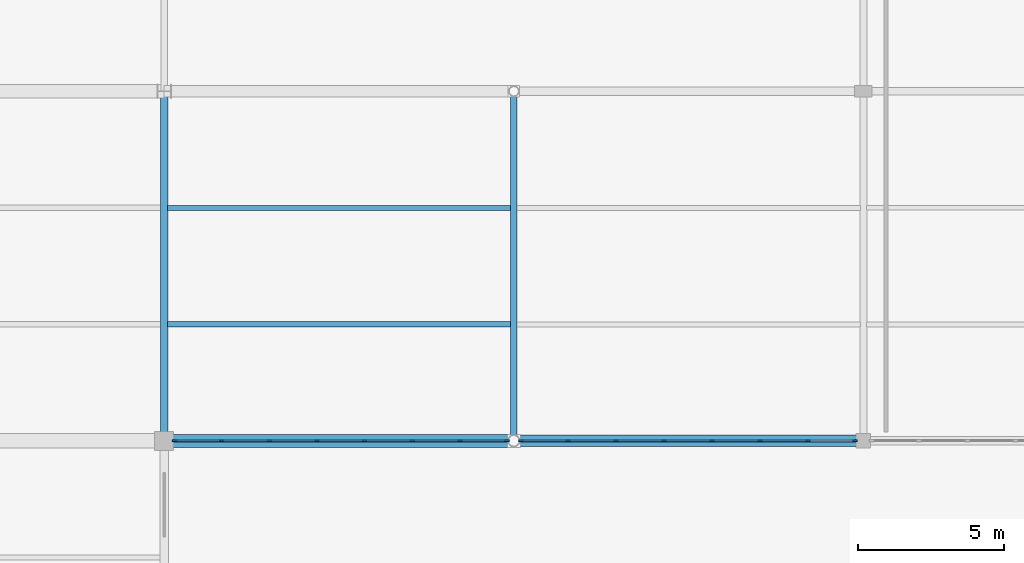
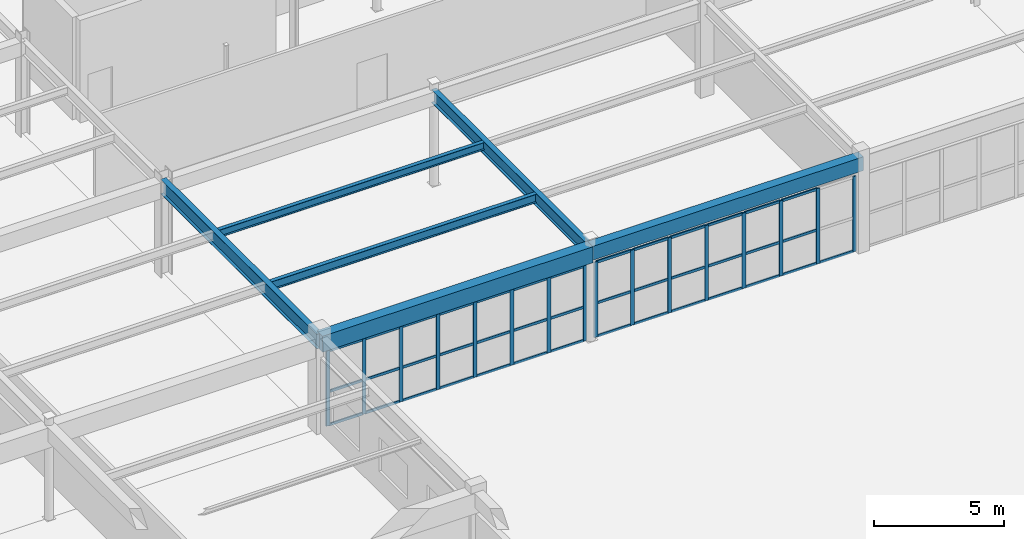
# One storey, part 83 of 199: 56 members, 6 beams, 2 elements without a shape of their own.
"""IFC4 building model written with IfcOpenShell, lengths in metres."""

from ifc_helpers import new_model, si_unit, direction, frame, origin, origin_2d, place, context, subcontext, project, spatial, rectangle, i_section, extrude, material, layer, layer_set, material_profile, profile_set, type_object, element, aggregate, save


model = new_model("IFC4")

# Units and contexts
model_context = context("Model", 3, precision=1e-05, world=origin(), true_north=direction((0.0, 1.0)))
body_context = subcontext(model_context, "Body", "Model", "MODEL_VIEW")
ifc_project = project(units=[si_unit("LENGTHUNIT", "METRE"), si_unit("AREAUNIT", "SQUARE_METRE"), si_unit("VOLUMEUNIT", "CUBIC_METRE"), si_unit("PLANEANGLEUNIT", "RADIAN"), si_unit("MASSUNIT", "GRAM", prefix="KILO")], contexts=[model_context])

# Site, building, storey
site_placement = place(None, origin())
site = spatial("IfcSite", under=ifc_project, at=site_placement, CompositionType="ELEMENT")
building_placement = place(site_placement, origin())
building = spatial("IfcBuilding", under=site, at=building_placement, Name="Tarnwether General Hospital", CompositionType="ELEMENT")
storey_placement = place(building_placement, origin())
storey = spatial("IfcBuildingStorey", under=building, at=storey_placement, Name="L00", CompositionType="ELEMENT", Elevation=0.0)

# Beams
ifc_material_1 = material(Name="Steel Grade 350 (350 MPa)", Category="steel")
ifc_material_profile_1 = material_profile(ifc_material_1, i_section(OverallWidth=0.25, OverallDepth=0.69189453125, WebThickness=0.009033203125, FlangeThickness=0.01611328125, at=origin_2d()), Name="700WB115")
ifc_profile_set_1 = profile_set([ifc_material_profile_1], Name="Steel Grade 350 (350 MPa)")
beam_type_1 = type_object("IfcBeamType", Name="BM-G02", PredefinedType="BEAM", material=ifc_profile_set_1)
beam_1_placement = place(storey_placement, frame((60.0, 81.60009765625, 4.09912109375), z_axis=(0.0, 1.0, 0.0), x_axis=(-1.0, 0.0, 0.0)))
element("IfcBeam", 1, at=beam_1_placement, inside=storey, type_object=beam_type_1, Name="Primary Girder BMG-L00-6000_8160-6000_9360-0703", PredefinedType="BEAM", context=body_context, shape_type="SweptSolid", body=[
    extrude(i_section(OverallWidth=0.25, OverallDepth=0.69189453125, WebThickness=0.009033203125, FlangeThickness=0.01611328125, at=origin_2d()), origin(), (0.0, 0.0, 1.0), 12.0),
])
ifc_material_2 = material(Name="Steel Grade 350 (350 MPa)", Category="steel")
ifc_material_profile_2 = material_profile(ifc_material_2, i_section(OverallWidth=0.22900390625, OverallDepth=0.612060546875, WebThickness=0.011962890625, FlangeThickness=0.01953125, at=origin_2d()), Name="610UB125")
ifc_profile_set_2 = profile_set([ifc_material_profile_2], Name="Steel Grade 350 (350 MPa)")
beam_type_2 = type_object("IfcBeamType", Name="BM-G03", PredefinedType="BEAM", material=ifc_profile_set_2)
beam_2_placement = place(storey_placement, frame((72.0, 81.60009765625, 4.138916015625), z_axis=(0.0, 1.0, 0.0), x_axis=(-1.0, 0.0, 0.0)))
element("IfcBeam", 2, at=beam_2_placement, inside=storey, type_object=beam_type_2, Name="Primary Girder BMG-L00-7200_8160-7200_9360-0714", PredefinedType="BEAM", context=body_context, shape_type="SweptSolid", body=[
    extrude(i_section(OverallWidth=0.22900390625, OverallDepth=0.612060546875, WebThickness=0.011962890625, FlangeThickness=0.01953125, at=origin_2d()), origin(), (0.0, 0.0, 1.0), 12.0),
])
ifc_material_3 = material(Name="Concrete 40 MPa", Category="concrete")
ifc_material_profile_3 = material_profile(ifc_material_3, rectangle(XDim=0.449951171875, YDim=0.75, at=origin_2d()), Name="RC-BM-450x750")
ifc_profile_set_3 = profile_set([ifc_material_profile_3], Name="Concrete 40 MPa")
beam_type_3 = type_object("IfcBeamType", Name="BM-G13", PredefinedType="BEAM", material=ifc_profile_set_3)
beam_3_placement = place(storey_placement, frame((60.0, 81.60009765625, 4.070068359375), z_axis=(1.0, 0.0, 0.0), x_axis=(0.0, 1.0, 0.0)))
element("IfcBeam", 3, at=beam_3_placement, inside=storey, type_object=beam_type_3, Name="Primary Girder BMG-L00-6000_8160-7200_8160-0702", PredefinedType="BEAM", context=body_context, shape_type="SweptSolid", body=[
    extrude(rectangle(XDim=0.449951171875, YDim=0.75, at=origin_2d()), origin(), (0.0, 0.0, 1.0), 12.0),
])
ifc_material_4 = material(Name="Concrete 40 MPa", Category="concrete")
ifc_material_profile_4 = material_profile(ifc_material_4, rectangle(XDim=0.39990234375, YDim=0.64990234375, at=origin_2d()), Name="RC-BM-400x650")
ifc_profile_set_4 = profile_set([ifc_material_profile_4], Name="Concrete 40 MPa")
beam_type_4 = type_object("IfcBeamType", Name="BM-G14", PredefinedType="BEAM", material=ifc_profile_set_4)
beam_4_placement = place(storey_placement, frame((72.0, 81.60009765625, 4.1201171875), z_axis=(1.0, 0.0, 0.0), x_axis=(0.0, 1.0, 0.0)))
element("IfcBeam", 4, at=beam_4_placement, inside=storey, type_object=beam_type_4, Name="Primary Girder BMG-L00-7200_8160-8400_8160-0713", PredefinedType="BEAM", context=body_context, shape_type="SweptSolid", body=[
    extrude(rectangle(XDim=0.39990234375, YDim=0.64990234375, at=origin_2d()), origin(), (0.0, 0.0, 1.0), 12.0),
])
ifc_material_5 = material(Name="Steel Grade 350 (350 MPa)", Category="steel")
ifc_material_profile_5 = material_profile(ifc_material_5, i_section(OverallWidth=0.177978515625, OverallDepth=0.403076171875, WebThickness=0.007568359375, FlangeThickness=0.010986328125, at=origin_2d()), Name="410UB53.7")
ifc_profile_set_5 = profile_set([ifc_material_profile_5], Name="Steel Grade 350 (350 MPa)")
beam_type_5 = type_object("IfcBeamType", Name="BM-J02", PredefinedType="JOIST", material=ifc_profile_set_5)
beam_5_placement = place(storey_placement, frame((60.118896484375, 85.60009765625, 4.243408203125), z_axis=(1.0, 0.0, 0.0), x_axis=(0.0, 1.0, 0.0)))
element("IfcBeam", 5, at=beam_5_placement, inside=storey, type_object=beam_type_5, Name="Composite Floor Joist BMG-L00-6012_8560-7189_8560-0967", PredefinedType="JOIST", context=body_context, shape_type="SweptSolid", body=[
    extrude(i_section(OverallWidth=0.177978515625, OverallDepth=0.403076171875, WebThickness=0.007568359375, FlangeThickness=0.010986328125, at=origin_2d()), origin(), (0.0, 0.0, 1.0), 11.772216796875),
])
ifc_material_6 = material(Name="Steel Grade 350 (350 MPa)", Category="steel")
ifc_material_profile_6 = material_profile(ifc_material_6, i_section(OverallWidth=0.172119140625, OverallDepth=0.35888671875, WebThickness=0.008056640625, FlangeThickness=0.012939453125, at=origin_2d()), Name="360UB56.7")
ifc_profile_set_6 = profile_set([ifc_material_profile_6], Name="Steel Grade 350 (350 MPa)")
beam_type_6 = type_object("IfcBeamType", Name="BM-J03", PredefinedType="JOIST", material=ifc_profile_set_6)
beam_6_placement = place(storey_placement, frame((60.118896484375, 89.60009765625, 4.265380859375), z_axis=(1.0, 0.0, 0.0), x_axis=(0.0, 1.0, 0.0)))
element("IfcBeam", 6, at=beam_6_placement, inside=storey, type_object=beam_type_6, Name="Composite Floor Joist BMG-L00-6012_8960-7189_8960-0968", PredefinedType="JOIST", context=body_context, shape_type="SweptSolid", body=[
    extrude(i_section(OverallWidth=0.172119140625, OverallDepth=0.35888671875, WebThickness=0.008056640625, FlangeThickness=0.012939453125, at=origin_2d()), origin(), (0.0, 0.0, 1.0), 11.772216796875),
])

# Curtain wall, members
ifc_material_7 = material(Name="Anodised aluminium", Category="aluminium")
ifc_layer = layer(ifc_material_7, 0.159912109375)
ifc_layer_set = layer_set([ifc_layer], Name="Anodised aluminium")
curtain_wall_type = type_object("IfcCurtainWallType", Name="CW-23", PredefinedType="NOTDEFINED", material=ifc_layer_set)
curtain_wall_1_placement = place(storey_placement, origin())
curtain_wall_1 = element("IfcCurtainWall", 7, at=curtain_wall_1_placement, inside=storey, type_object=curtain_wall_type, Name="Curtain Wall CWG-L00-603_816-0305", PredefinedType="NOTDEFINED")
ifc_material_8 = material(Name="Anodised aluminium", Category="aluminium")
ifc_material_profile_7 = material_profile(ifc_material_8, rectangle(XDim=0.06005859375, YDim=0.159912109375, at=origin_2d()), Name="ALU-MUL-60x160")
ifc_profile_set_7 = profile_set([ifc_material_profile_7], Name="Anodised aluminium")
member_type_1 = type_object("IfcMemberType", Name="CW-ML1", PredefinedType="MULLION", material=ifc_profile_set_7)
member_1_placement = place(storey_placement, frame((60.363037109375, 81.60009765625, 0.0), z_axis=(0.0, 0.0, 1.0), x_axis=(0.0, 1.0, 0.0)))
member_1 = element("IfcMember", 8, at=member_1_placement, type_object=member_type_1, Name="CW-23 mullion 1", PredefinedType="MULLION", context=body_context, shape_type="SweptSolid", body=[
    extrude(rectangle(XDim=0.06005859375, YDim=0.159912109375, at=origin_2d()), origin(), (0.0, 0.0, 1.0), 3.530029296875),
])
member_2_placement = place(storey_placement, frame((61.969482421875, 81.60009765625, 0.0), z_axis=(0.0, 0.0, 1.0), x_axis=(0.0, 1.0, 0.0)))
member_2 = element("IfcMember", 9, at=member_2_placement, type_object=member_type_1, Name="CW-23 mullion 2", PredefinedType="MULLION", context=body_context, shape_type="SweptSolid", body=[
    extrude(rectangle(XDim=0.06005859375, YDim=0.159912109375, at=origin_2d()), origin(), (0.0, 0.0, 1.0), 3.530029296875),
])
member_3_placement = place(storey_placement, frame((63.606201171875, 81.60009765625, 0.0), z_axis=(0.0, 0.0, 1.0), x_axis=(0.0, 1.0, 0.0)))
member_3 = element("IfcMember", 10, at=member_3_placement, type_object=member_type_1, Name="CW-23 mullion 3", PredefinedType="MULLION", context=body_context, shape_type="SweptSolid", body=[
    extrude(rectangle(XDim=0.06005859375, YDim=0.159912109375, at=origin_2d()), origin(), (0.0, 0.0, 1.0), 3.530029296875),
])
member_4_placement = place(storey_placement, frame((65.24267578125, 81.60009765625, 0.0), z_axis=(0.0, 0.0, 1.0), x_axis=(0.0, 1.0, 0.0)))
member_4 = element("IfcMember", 11, at=member_4_placement, type_object=member_type_1, Name="CW-23 mullion 4", PredefinedType="MULLION", context=body_context, shape_type="SweptSolid", body=[
    extrude(rectangle(XDim=0.06005859375, YDim=0.159912109375, at=origin_2d()), origin(), (0.0, 0.0, 1.0), 3.530029296875),
])
member_5_placement = place(storey_placement, frame((66.87939453125, 81.60009765625, 0.0), z_axis=(0.0, 0.0, 1.0), x_axis=(0.0, 1.0, 0.0)))
member_5 = element("IfcMember", 12, at=member_5_placement, type_object=member_type_1, Name="CW-23 mullion 5", PredefinedType="MULLION", context=body_context, shape_type="SweptSolid", body=[
    extrude(rectangle(XDim=0.06005859375, YDim=0.159912109375, at=origin_2d()), origin(), (0.0, 0.0, 1.0), 3.530029296875),
])
member_6_placement = place(storey_placement, frame((68.515869140625, 81.60009765625, 0.0), z_axis=(0.0, 0.0, 1.0), x_axis=(0.0, 1.0, 0.0)))
member_6 = element("IfcMember", 13, at=member_6_placement, type_object=member_type_1, Name="CW-23 mullion 6", PredefinedType="MULLION", context=body_context, shape_type="SweptSolid", body=[
    extrude(rectangle(XDim=0.06005859375, YDim=0.159912109375, at=origin_2d()), origin(), (0.0, 0.0, 1.0), 3.530029296875),
])
member_7_placement = place(storey_placement, frame((70.15234375, 81.60009765625, 0.0), z_axis=(0.0, 0.0, 1.0), x_axis=(0.0, 1.0, 0.0)))
member_7 = element("IfcMember", 14, at=member_7_placement, type_object=member_type_1, Name="CW-23 mullion 7", PredefinedType="MULLION", context=body_context, shape_type="SweptSolid", body=[
    extrude(rectangle(XDim=0.06005859375, YDim=0.159912109375, at=origin_2d()), origin(), (0.0, 0.0, 1.0), 3.530029296875),
])
member_8_placement = place(storey_placement, frame((71.759033203125, 81.60009765625, 0.0), z_axis=(0.0, 0.0, 1.0), x_axis=(0.0, 1.0, 0.0)))
member_8 = element("IfcMember", 15, at=member_8_placement, type_object=member_type_1, Name="CW-23 mullion 8", PredefinedType="MULLION", context=body_context, shape_type="SweptSolid", body=[
    extrude(rectangle(XDim=0.06005859375, YDim=0.159912109375, at=origin_2d()), origin(), (0.0, 0.0, 1.0), 3.530029296875),
])

curtain_wall_2_placement = place(storey_placement, origin())
curtain_wall_2 = element("IfcCurtainWall", 16, at=curtain_wall_2_placement, inside=storey, type_object=curtain_wall_type, Name="Curtain Wall CWG-L00-722_816-0306", PredefinedType="NOTDEFINED")
member_9_placement = place(storey_placement, frame((72.240966796875, 81.60009765625, 0.0), z_axis=(0.0, 0.0, 1.0), x_axis=(0.0, 1.0, 0.0)))
member_9 = element("IfcMember", 17, at=member_9_placement, type_object=member_type_1, Name="CW-23 mullion 1", PredefinedType="MULLION", context=body_context, shape_type="SweptSolid", body=[
    extrude(rectangle(XDim=0.06005859375, YDim=0.159912109375, at=origin_2d()), origin(), (0.0, 0.0, 1.0), 3.530029296875),
])
member_10_placement = place(storey_placement, frame((73.8583984375, 81.60009765625, 0.0), z_axis=(0.0, 0.0, 1.0), x_axis=(0.0, 1.0, 0.0)))
member_10 = element("IfcMember", 18, at=member_10_placement, type_object=member_type_1, Name="CW-23 mullion 2", PredefinedType="MULLION", context=body_context, shape_type="SweptSolid", body=[
    extrude(rectangle(XDim=0.06005859375, YDim=0.159912109375, at=origin_2d()), origin(), (0.0, 0.0, 1.0), 3.530029296875),
])
member_11_placement = place(storey_placement, frame((75.505615234375, 81.60009765625, 0.0), z_axis=(0.0, 0.0, 1.0), x_axis=(0.0, 1.0, 0.0)))
member_11 = element("IfcMember", 19, at=member_11_placement, type_object=member_type_1, Name="CW-23 mullion 3", PredefinedType="MULLION", context=body_context, shape_type="SweptSolid", body=[
    extrude(rectangle(XDim=0.06005859375, YDim=0.159912109375, at=origin_2d()), origin(), (0.0, 0.0, 1.0), 3.530029296875),
])
member_12_placement = place(storey_placement, frame((77.15283203125, 81.60009765625, 0.0), z_axis=(0.0, 0.0, 1.0), x_axis=(0.0, 1.0, 0.0)))
member_12 = element("IfcMember", 20, at=member_12_placement, type_object=member_type_1, Name="CW-23 mullion 4", PredefinedType="MULLION", context=body_context, shape_type="SweptSolid", body=[
    extrude(rectangle(XDim=0.06005859375, YDim=0.159912109375, at=origin_2d()), origin(), (0.0, 0.0, 1.0), 3.530029296875),
])
member_13_placement = place(storey_placement, frame((78.800048828125, 81.60009765625, 0.0), z_axis=(0.0, 0.0, 1.0), x_axis=(0.0, 1.0, 0.0)))
member_13 = element("IfcMember", 21, at=member_13_placement, type_object=member_type_1, Name="CW-23 mullion 5", PredefinedType="MULLION", context=body_context, shape_type="SweptSolid", body=[
    extrude(rectangle(XDim=0.06005859375, YDim=0.159912109375, at=origin_2d()), origin(), (0.0, 0.0, 1.0), 3.530029296875),
])
member_14_placement = place(storey_placement, frame((80.447509765625, 81.60009765625, 0.0), z_axis=(0.0, 0.0, 1.0), x_axis=(0.0, 1.0, 0.0)))
member_14 = element("IfcMember", 22, at=member_14_placement, type_object=member_type_1, Name="CW-23 mullion 6", PredefinedType="MULLION", context=body_context, shape_type="SweptSolid", body=[
    extrude(rectangle(XDim=0.06005859375, YDim=0.159912109375, at=origin_2d()), origin(), (0.0, 0.0, 1.0), 3.530029296875),
])
member_15_placement = place(storey_placement, frame((82.0947265625, 81.60009765625, 0.0), z_axis=(0.0, 0.0, 1.0), x_axis=(0.0, 1.0, 0.0)))
member_15 = element("IfcMember", 23, at=member_15_placement, type_object=member_type_1, Name="CW-23 mullion 7", PredefinedType="MULLION", context=body_context, shape_type="SweptSolid", body=[
    extrude(rectangle(XDim=0.06005859375, YDim=0.159912109375, at=origin_2d()), origin(), (0.0, 0.0, 1.0), 3.530029296875),
])
member_16_placement = place(storey_placement, frame((83.7119140625, 81.60009765625, 0.0), z_axis=(0.0, 0.0, 1.0), x_axis=(0.0, 1.0, 0.0)))
member_16 = element("IfcMember", 24, at=member_16_placement, type_object=member_type_1, Name="CW-23 mullion 8", PredefinedType="MULLION", context=body_context, shape_type="SweptSolid", body=[
    extrude(rectangle(XDim=0.06005859375, YDim=0.159912109375, at=origin_2d()), origin(), (0.0, 0.0, 1.0), 3.530029296875),
])

# Member
ifc_material_9 = material(Name="Anodised aluminium", Category="aluminium")
ifc_material_profile_8 = material_profile(ifc_material_9, rectangle(XDim=0.06005859375, YDim=0.1201171875, at=origin_2d()), Name="ALU-TRN-60x120")
ifc_profile_set_8 = profile_set([ifc_material_profile_8], Name="Anodised aluminium")
member_type_2 = type_object("IfcMemberType", Name="CW-TR1", PredefinedType="USERDEFINED", material=ifc_profile_set_8)
member_17_placement = place(storey_placement, frame((60.39306640625, 81.60009765625, 0.030029296875), z_axis=(1.0, 0.0, 0.0), x_axis=(0.0, 1.0, 0.0)))
member_17 = element("IfcMember", 25, at=member_17_placement, type_object=member_type_2, Name="CW-23 transom 1.1", ObjectType="TRANSOM", PredefinedType="USERDEFINED", context=body_context, shape_type="SweptSolid", body=[
    extrude(rectangle(XDim=0.06005859375, YDim=0.1201171875, at=origin_2d()), origin(), (0.0, 0.0, 1.0), 1.54638671875),
])

member_18_placement = place(storey_placement, frame((60.39306640625, 81.60009765625, 1.58837890625), z_axis=(1.0, 0.0, 0.0), x_axis=(0.0, 1.0, 0.0)))
member_18 = element("IfcMember", 26, at=member_18_placement, type_object=member_type_2, Name="CW-23 transom 1.2", ObjectType="TRANSOM", PredefinedType="USERDEFINED", context=body_context, shape_type="SweptSolid", body=[
    extrude(rectangle(XDim=0.06005859375, YDim=0.1201171875, at=origin_2d()), origin(), (0.0, 0.0, 1.0), 1.54638671875),
])

member_19_placement = place(storey_placement, frame((60.39306640625, 81.60009765625, 3.5), z_axis=(1.0, 0.0, 0.0), x_axis=(0.0, 1.0, 0.0)))
member_19 = element("IfcMember", 27, at=member_19_placement, type_object=member_type_2, Name="CW-23 transom 1.3", ObjectType="TRANSOM", PredefinedType="USERDEFINED", context=body_context, shape_type="SweptSolid", body=[
    extrude(rectangle(XDim=0.06005859375, YDim=0.1201171875, at=origin_2d()), origin(), (0.0, 0.0, 1.0), 1.54638671875),
])

member_20_placement = place(storey_placement, frame((61.99951171875, 81.60009765625, 0.030029296875), z_axis=(1.0, 0.0, 0.0), x_axis=(0.0, 1.0, 0.0)))
member_20 = element("IfcMember", 28, at=member_20_placement, type_object=member_type_2, Name="CW-23 transom 2.1", ObjectType="TRANSOM", PredefinedType="USERDEFINED", context=body_context, shape_type="SweptSolid", body=[
    extrude(rectangle(XDim=0.06005859375, YDim=0.1201171875, at=origin_2d()), origin(), (0.0, 0.0, 1.0), 1.57666015625),
])

member_21_placement = place(storey_placement, frame((61.99951171875, 81.60009765625, 1.58837890625), z_axis=(1.0, 0.0, 0.0), x_axis=(0.0, 1.0, 0.0)))
member_21 = element("IfcMember", 29, at=member_21_placement, type_object=member_type_2, Name="CW-23 transom 2.2", ObjectType="TRANSOM", PredefinedType="USERDEFINED", context=body_context, shape_type="SweptSolid", body=[
    extrude(rectangle(XDim=0.06005859375, YDim=0.1201171875, at=origin_2d()), origin(), (0.0, 0.0, 1.0), 1.57666015625),
])

member_22_placement = place(storey_placement, frame((61.99951171875, 81.60009765625, 3.5), z_axis=(1.0, 0.0, 0.0), x_axis=(0.0, 1.0, 0.0)))
member_22 = element("IfcMember", 30, at=member_22_placement, type_object=member_type_2, Name="CW-23 transom 2.3", ObjectType="TRANSOM", PredefinedType="USERDEFINED", context=body_context, shape_type="SweptSolid", body=[
    extrude(rectangle(XDim=0.06005859375, YDim=0.1201171875, at=origin_2d()), origin(), (0.0, 0.0, 1.0), 1.57666015625),
])

member_23_placement = place(storey_placement, frame((63.63623046875, 81.60009765625, 0.030029296875), z_axis=(1.0, 0.0, 0.0), x_axis=(0.0, 1.0, 0.0)))
member_23 = element("IfcMember", 31, at=member_23_placement, type_object=member_type_2, Name="CW-23 transom 3.1", ObjectType="TRANSOM", PredefinedType="USERDEFINED", context=body_context, shape_type="SweptSolid", body=[
    extrude(rectangle(XDim=0.06005859375, YDim=0.1201171875, at=origin_2d()), origin(), (0.0, 0.0, 1.0), 1.576416015625),
])

member_24_placement = place(storey_placement, frame((63.63623046875, 81.60009765625, 1.58837890625), z_axis=(1.0, 0.0, 0.0), x_axis=(0.0, 1.0, 0.0)))
member_24 = element("IfcMember", 32, at=member_24_placement, type_object=member_type_2, Name="CW-23 transom 3.2", ObjectType="TRANSOM", PredefinedType="USERDEFINED", context=body_context, shape_type="SweptSolid", body=[
    extrude(rectangle(XDim=0.06005859375, YDim=0.1201171875, at=origin_2d()), origin(), (0.0, 0.0, 1.0), 1.576416015625),
])

member_25_placement = place(storey_placement, frame((63.63623046875, 81.60009765625, 3.5), z_axis=(1.0, 0.0, 0.0), x_axis=(0.0, 1.0, 0.0)))
member_25 = element("IfcMember", 33, at=member_25_placement, type_object=member_type_2, Name="CW-23 transom 3.3", ObjectType="TRANSOM", PredefinedType="USERDEFINED", context=body_context, shape_type="SweptSolid", body=[
    extrude(rectangle(XDim=0.06005859375, YDim=0.1201171875, at=origin_2d()), origin(), (0.0, 0.0, 1.0), 1.576416015625),
])

member_26_placement = place(storey_placement, frame((65.272705078125, 81.60009765625, 0.030029296875), z_axis=(1.0, 0.0, 0.0), x_axis=(0.0, 1.0, 0.0)))
member_26 = element("IfcMember", 34, at=member_26_placement, type_object=member_type_2, Name="CW-23 transom 4.1", ObjectType="TRANSOM", PredefinedType="USERDEFINED", context=body_context, shape_type="SweptSolid", body=[
    extrude(rectangle(XDim=0.06005859375, YDim=0.1201171875, at=origin_2d()), origin(), (0.0, 0.0, 1.0), 1.57666015625),
])

member_27_placement = place(storey_placement, frame((65.272705078125, 81.60009765625, 1.58837890625), z_axis=(1.0, 0.0, 0.0), x_axis=(0.0, 1.0, 0.0)))
member_27 = element("IfcMember", 35, at=member_27_placement, type_object=member_type_2, Name="CW-23 transom 4.2", ObjectType="TRANSOM", PredefinedType="USERDEFINED", context=body_context, shape_type="SweptSolid", body=[
    extrude(rectangle(XDim=0.06005859375, YDim=0.1201171875, at=origin_2d()), origin(), (0.0, 0.0, 1.0), 1.57666015625),
])

member_28_placement = place(storey_placement, frame((65.272705078125, 81.60009765625, 3.5), z_axis=(1.0, 0.0, 0.0), x_axis=(0.0, 1.0, 0.0)))
member_28 = element("IfcMember", 36, at=member_28_placement, type_object=member_type_2, Name="CW-23 transom 4.3", ObjectType="TRANSOM", PredefinedType="USERDEFINED", context=body_context, shape_type="SweptSolid", body=[
    extrude(rectangle(XDim=0.06005859375, YDim=0.1201171875, at=origin_2d()), origin(), (0.0, 0.0, 1.0), 1.57666015625),
])

member_29_placement = place(storey_placement, frame((66.9091796875, 81.60009765625, 0.030029296875), z_axis=(1.0, 0.0, 0.0), x_axis=(0.0, 1.0, 0.0)))
member_29 = element("IfcMember", 37, at=member_29_placement, type_object=member_type_2, Name="CW-23 transom 5.1", ObjectType="TRANSOM", PredefinedType="USERDEFINED", context=body_context, shape_type="SweptSolid", body=[
    extrude(rectangle(XDim=0.06005859375, YDim=0.1201171875, at=origin_2d()), origin(), (0.0, 0.0, 1.0), 1.57666015625),
])

member_30_placement = place(storey_placement, frame((66.9091796875, 81.60009765625, 1.58837890625), z_axis=(1.0, 0.0, 0.0), x_axis=(0.0, 1.0, 0.0)))
member_30 = element("IfcMember", 38, at=member_30_placement, type_object=member_type_2, Name="CW-23 transom 5.2", ObjectType="TRANSOM", PredefinedType="USERDEFINED", context=body_context, shape_type="SweptSolid", body=[
    extrude(rectangle(XDim=0.06005859375, YDim=0.1201171875, at=origin_2d()), origin(), (0.0, 0.0, 1.0), 1.57666015625),
])

member_31_placement = place(storey_placement, frame((66.9091796875, 81.60009765625, 3.5), z_axis=(1.0, 0.0, 0.0), x_axis=(0.0, 1.0, 0.0)))
member_31 = element("IfcMember", 39, at=member_31_placement, type_object=member_type_2, Name="CW-23 transom 5.3", ObjectType="TRANSOM", PredefinedType="USERDEFINED", context=body_context, shape_type="SweptSolid", body=[
    extrude(rectangle(XDim=0.06005859375, YDim=0.1201171875, at=origin_2d()), origin(), (0.0, 0.0, 1.0), 1.57666015625),
])

member_32_placement = place(storey_placement, frame((68.5458984375, 81.60009765625, 0.030029296875), z_axis=(1.0, 0.0, 0.0), x_axis=(0.0, 1.0, 0.0)))
member_32 = element("IfcMember", 40, at=member_32_placement, type_object=member_type_2, Name="CW-23 transom 6.1", ObjectType="TRANSOM", PredefinedType="USERDEFINED", context=body_context, shape_type="SweptSolid", body=[
    extrude(rectangle(XDim=0.06005859375, YDim=0.1201171875, at=origin_2d()), origin(), (0.0, 0.0, 1.0), 1.576416015625),
])

member_33_placement = place(storey_placement, frame((68.5458984375, 81.60009765625, 1.58837890625), z_axis=(1.0, 0.0, 0.0), x_axis=(0.0, 1.0, 0.0)))
member_33 = element("IfcMember", 41, at=member_33_placement, type_object=member_type_2, Name="CW-23 transom 6.2", ObjectType="TRANSOM", PredefinedType="USERDEFINED", context=body_context, shape_type="SweptSolid", body=[
    extrude(rectangle(XDim=0.06005859375, YDim=0.1201171875, at=origin_2d()), origin(), (0.0, 0.0, 1.0), 1.576416015625),
])

member_34_placement = place(storey_placement, frame((68.5458984375, 81.60009765625, 3.5), z_axis=(1.0, 0.0, 0.0), x_axis=(0.0, 1.0, 0.0)))
member_34 = element("IfcMember", 42, at=member_34_placement, type_object=member_type_2, Name="CW-23 transom 6.3", ObjectType="TRANSOM", PredefinedType="USERDEFINED", context=body_context, shape_type="SweptSolid", body=[
    extrude(rectangle(XDim=0.06005859375, YDim=0.1201171875, at=origin_2d()), origin(), (0.0, 0.0, 1.0), 1.576416015625),
])

member_35_placement = place(storey_placement, frame((70.182373046875, 81.60009765625, 0.030029296875), z_axis=(1.0, 0.0, 0.0), x_axis=(0.0, 1.0, 0.0)))
member_35 = element("IfcMember", 43, at=member_35_placement, type_object=member_type_2, Name="CW-23 transom 7.1", ObjectType="TRANSOM", PredefinedType="USERDEFINED", context=body_context, shape_type="SweptSolid", body=[
    extrude(rectangle(XDim=0.06005859375, YDim=0.1201171875, at=origin_2d()), origin(), (0.0, 0.0, 1.0), 1.546630859375),
])

member_36_placement = place(storey_placement, frame((70.182373046875, 81.60009765625, 1.58837890625), z_axis=(1.0, 0.0, 0.0), x_axis=(0.0, 1.0, 0.0)))
member_36 = element("IfcMember", 44, at=member_36_placement, type_object=member_type_2, Name="CW-23 transom 7.2", ObjectType="TRANSOM", PredefinedType="USERDEFINED", context=body_context, shape_type="SweptSolid", body=[
    extrude(rectangle(XDim=0.06005859375, YDim=0.1201171875, at=origin_2d()), origin(), (0.0, 0.0, 1.0), 1.546630859375),
])

member_37_placement = place(storey_placement, frame((70.182373046875, 81.60009765625, 3.5), z_axis=(1.0, 0.0, 0.0), x_axis=(0.0, 1.0, 0.0)))
member_37 = element("IfcMember", 45, at=member_37_placement, type_object=member_type_2, Name="CW-23 transom 7.3", ObjectType="TRANSOM", PredefinedType="USERDEFINED", context=body_context, shape_type="SweptSolid", body=[
    extrude(rectangle(XDim=0.06005859375, YDim=0.1201171875, at=origin_2d()), origin(), (0.0, 0.0, 1.0), 1.546630859375),
])

aggregate(curtain_wall_1, [member_1, member_2, member_3, member_4, member_5, member_6, member_7, member_8, member_17, member_18, member_19, member_20, member_21, member_22, member_23, member_24, member_25, member_26, member_27, member_28, member_29, member_30, member_31, member_32, member_33, member_34, member_35, member_36, member_37])

member_38_placement = place(storey_placement, frame((72.27099609375, 81.60009765625, 0.030029296875), z_axis=(1.0, 0.0, 0.0), x_axis=(0.0, 1.0, 0.0)))
member_38 = element("IfcMember", 46, at=member_38_placement, type_object=member_type_2, Name="CW-23 transom 1.1", ObjectType="TRANSOM", PredefinedType="USERDEFINED", context=body_context, shape_type="SweptSolid", body=[
    extrude(rectangle(XDim=0.06005859375, YDim=0.1201171875, at=origin_2d()), origin(), (0.0, 0.0, 1.0), 1.557373046875),
])

member_39_placement = place(storey_placement, frame((72.27099609375, 81.60009765625, 1.58837890625), z_axis=(1.0, 0.0, 0.0), x_axis=(0.0, 1.0, 0.0)))
member_39 = element("IfcMember", 47, at=member_39_placement, type_object=member_type_2, Name="CW-23 transom 1.2", ObjectType="TRANSOM", PredefinedType="USERDEFINED", context=body_context, shape_type="SweptSolid", body=[
    extrude(rectangle(XDim=0.06005859375, YDim=0.1201171875, at=origin_2d()), origin(), (0.0, 0.0, 1.0), 1.557373046875),
])

member_40_placement = place(storey_placement, frame((72.27099609375, 81.60009765625, 3.5), z_axis=(1.0, 0.0, 0.0), x_axis=(0.0, 1.0, 0.0)))
member_40 = element("IfcMember", 48, at=member_40_placement, type_object=member_type_2, Name="CW-23 transom 1.3", ObjectType="TRANSOM", PredefinedType="USERDEFINED", context=body_context, shape_type="SweptSolid", body=[
    extrude(rectangle(XDim=0.06005859375, YDim=0.1201171875, at=origin_2d()), origin(), (0.0, 0.0, 1.0), 1.557373046875),
])

member_41_placement = place(storey_placement, frame((73.88818359375, 81.60009765625, 0.030029296875), z_axis=(1.0, 0.0, 0.0), x_axis=(0.0, 1.0, 0.0)))
member_41 = element("IfcMember", 49, at=member_41_placement, type_object=member_type_2, Name="CW-23 transom 2.1", ObjectType="TRANSOM", PredefinedType="USERDEFINED", context=body_context, shape_type="SweptSolid", body=[
    extrude(rectangle(XDim=0.06005859375, YDim=0.1201171875, at=origin_2d()), origin(), (0.0, 0.0, 1.0), 1.58740234375),
])

member_42_placement = place(storey_placement, frame((73.88818359375, 81.60009765625, 1.58837890625), z_axis=(1.0, 0.0, 0.0), x_axis=(0.0, 1.0, 0.0)))
member_42 = element("IfcMember", 50, at=member_42_placement, type_object=member_type_2, Name="CW-23 transom 2.2", ObjectType="TRANSOM", PredefinedType="USERDEFINED", context=body_context, shape_type="SweptSolid", body=[
    extrude(rectangle(XDim=0.06005859375, YDim=0.1201171875, at=origin_2d()), origin(), (0.0, 0.0, 1.0), 1.58740234375),
])

member_43_placement = place(storey_placement, frame((73.88818359375, 81.60009765625, 3.5), z_axis=(1.0, 0.0, 0.0), x_axis=(0.0, 1.0, 0.0)))
member_43 = element("IfcMember", 51, at=member_43_placement, type_object=member_type_2, Name="CW-23 transom 2.3", ObjectType="TRANSOM", PredefinedType="USERDEFINED", context=body_context, shape_type="SweptSolid", body=[
    extrude(rectangle(XDim=0.06005859375, YDim=0.1201171875, at=origin_2d()), origin(), (0.0, 0.0, 1.0), 1.58740234375),
])

member_44_placement = place(storey_placement, frame((75.53564453125, 81.60009765625, 0.030029296875), z_axis=(1.0, 0.0, 0.0), x_axis=(0.0, 1.0, 0.0)))
member_44 = element("IfcMember", 52, at=member_44_placement, type_object=member_type_2, Name="CW-23 transom 3.1", ObjectType="TRANSOM", PredefinedType="USERDEFINED", context=body_context, shape_type="SweptSolid", body=[
    extrude(rectangle(XDim=0.06005859375, YDim=0.1201171875, at=origin_2d()), origin(), (0.0, 0.0, 1.0), 1.587158203125),
])

member_45_placement = place(storey_placement, frame((75.53564453125, 81.60009765625, 1.58837890625), z_axis=(1.0, 0.0, 0.0), x_axis=(0.0, 1.0, 0.0)))
member_45 = element("IfcMember", 53, at=member_45_placement, type_object=member_type_2, Name="CW-23 transom 3.2", ObjectType="TRANSOM", PredefinedType="USERDEFINED", context=body_context, shape_type="SweptSolid", body=[
    extrude(rectangle(XDim=0.06005859375, YDim=0.1201171875, at=origin_2d()), origin(), (0.0, 0.0, 1.0), 1.587158203125),
])

member_46_placement = place(storey_placement, frame((75.53564453125, 81.60009765625, 3.5), z_axis=(1.0, 0.0, 0.0), x_axis=(0.0, 1.0, 0.0)))
member_46 = element("IfcMember", 54, at=member_46_placement, type_object=member_type_2, Name="CW-23 transom 3.3", ObjectType="TRANSOM", PredefinedType="USERDEFINED", context=body_context, shape_type="SweptSolid", body=[
    extrude(rectangle(XDim=0.06005859375, YDim=0.1201171875, at=origin_2d()), origin(), (0.0, 0.0, 1.0), 1.587158203125),
])

member_47_placement = place(storey_placement, frame((77.182861328125, 81.60009765625, 0.030029296875), z_axis=(1.0, 0.0, 0.0), x_axis=(0.0, 1.0, 0.0)))
member_47 = element("IfcMember", 55, at=member_47_placement, type_object=member_type_2, Name="CW-23 transom 4.1", ObjectType="TRANSOM", PredefinedType="USERDEFINED", context=body_context, shape_type="SweptSolid", body=[
    extrude(rectangle(XDim=0.06005859375, YDim=0.1201171875, at=origin_2d()), origin(), (0.0, 0.0, 1.0), 1.58740234375),
])

member_48_placement = place(storey_placement, frame((77.182861328125, 81.60009765625, 1.58837890625), z_axis=(1.0, 0.0, 0.0), x_axis=(0.0, 1.0, 0.0)))
member_48 = element("IfcMember", 56, at=member_48_placement, type_object=member_type_2, Name="CW-23 transom 4.2", ObjectType="TRANSOM", PredefinedType="USERDEFINED", context=body_context, shape_type="SweptSolid", body=[
    extrude(rectangle(XDim=0.06005859375, YDim=0.1201171875, at=origin_2d()), origin(), (0.0, 0.0, 1.0), 1.58740234375),
])

member_49_placement = place(storey_placement, frame((77.182861328125, 81.60009765625, 3.5), z_axis=(1.0, 0.0, 0.0), x_axis=(0.0, 1.0, 0.0)))
member_49 = element("IfcMember", 57, at=member_49_placement, type_object=member_type_2, Name="CW-23 transom 4.3", ObjectType="TRANSOM", PredefinedType="USERDEFINED", context=body_context, shape_type="SweptSolid", body=[
    extrude(rectangle(XDim=0.06005859375, YDim=0.1201171875, at=origin_2d()), origin(), (0.0, 0.0, 1.0), 1.58740234375),
])

member_50_placement = place(storey_placement, frame((78.830078125, 81.60009765625, 0.030029296875), z_axis=(1.0, 0.0, 0.0), x_axis=(0.0, 1.0, 0.0)))
member_50 = element("IfcMember", 58, at=member_50_placement, type_object=member_type_2, Name="CW-23 transom 5.1", ObjectType="TRANSOM", PredefinedType="USERDEFINED", context=body_context, shape_type="SweptSolid", body=[
    extrude(rectangle(XDim=0.06005859375, YDim=0.1201171875, at=origin_2d()), origin(), (0.0, 0.0, 1.0), 1.58740234375),
])

member_51_placement = place(storey_placement, frame((78.830078125, 81.60009765625, 1.58837890625), z_axis=(1.0, 0.0, 0.0), x_axis=(0.0, 1.0, 0.0)))
member_51 = element("IfcMember", 59, at=member_51_placement, type_object=member_type_2, Name="CW-23 transom 5.2", ObjectType="TRANSOM", PredefinedType="USERDEFINED", context=body_context, shape_type="SweptSolid", body=[
    extrude(rectangle(XDim=0.06005859375, YDim=0.1201171875, at=origin_2d()), origin(), (0.0, 0.0, 1.0), 1.58740234375),
])

member_52_placement = place(storey_placement, frame((78.830078125, 81.60009765625, 3.5), z_axis=(1.0, 0.0, 0.0), x_axis=(0.0, 1.0, 0.0)))
member_52 = element("IfcMember", 60, at=member_52_placement, type_object=member_type_2, Name="CW-23 transom 5.3", ObjectType="TRANSOM", PredefinedType="USERDEFINED", context=body_context, shape_type="SweptSolid", body=[
    extrude(rectangle(XDim=0.06005859375, YDim=0.1201171875, at=origin_2d()), origin(), (0.0, 0.0, 1.0), 1.58740234375),
])

member_53_placement = place(storey_placement, frame((80.4775390625, 81.60009765625, 0.030029296875), z_axis=(1.0, 0.0, 0.0), x_axis=(0.0, 1.0, 0.0)))
member_53 = element("IfcMember", 61, at=member_53_placement, type_object=member_type_2, Name="CW-23 transom 6.1", ObjectType="TRANSOM", PredefinedType="USERDEFINED", context=body_context, shape_type="SweptSolid", body=[
    extrude(rectangle(XDim=0.06005859375, YDim=0.1201171875, at=origin_2d()), origin(), (0.0, 0.0, 1.0), 1.587158203125),
])

member_54_placement = place(storey_placement, frame((80.4775390625, 81.60009765625, 1.58837890625), z_axis=(1.0, 0.0, 0.0), x_axis=(0.0, 1.0, 0.0)))
member_54 = element("IfcMember", 62, at=member_54_placement, type_object=member_type_2, Name="CW-23 transom 6.2", ObjectType="TRANSOM", PredefinedType="USERDEFINED", context=body_context, shape_type="SweptSolid", body=[
    extrude(rectangle(XDim=0.06005859375, YDim=0.1201171875, at=origin_2d()), origin(), (0.0, 0.0, 1.0), 1.587158203125),
])

member_55_placement = place(storey_placement, frame((80.4775390625, 81.60009765625, 3.5), z_axis=(1.0, 0.0, 0.0), x_axis=(0.0, 1.0, 0.0)))
member_55 = element("IfcMember", 63, at=member_55_placement, type_object=member_type_2, Name="CW-23 transom 6.3", ObjectType="TRANSOM", PredefinedType="USERDEFINED", context=body_context, shape_type="SweptSolid", body=[
    extrude(rectangle(XDim=0.06005859375, YDim=0.1201171875, at=origin_2d()), origin(), (0.0, 0.0, 1.0), 1.587158203125),
])

member_56_placement = place(storey_placement, frame((82.124755859375, 81.60009765625, 0.030029296875), z_axis=(1.0, 0.0, 0.0), x_axis=(0.0, 1.0, 0.0)))
member_56 = element("IfcMember", 64, at=member_56_placement, type_object=member_type_2, Name="CW-23 transom 7.1", ObjectType="TRANSOM", PredefinedType="USERDEFINED", context=body_context, shape_type="SweptSolid", body=[
    extrude(rectangle(XDim=0.06005859375, YDim=0.1201171875, at=origin_2d()), origin(), (0.0, 0.0, 1.0), 1.55712890625),
])

aggregate(curtain_wall_2, [member_9, member_10, member_11, member_12, member_13, member_14, member_15, member_16, member_38, member_39, member_40, member_41, member_42, member_43, member_44, member_45, member_46, member_47, member_48, member_49, member_50, member_51, member_52, member_53, member_54, member_55, member_56])

save(model, "model.ifc")
